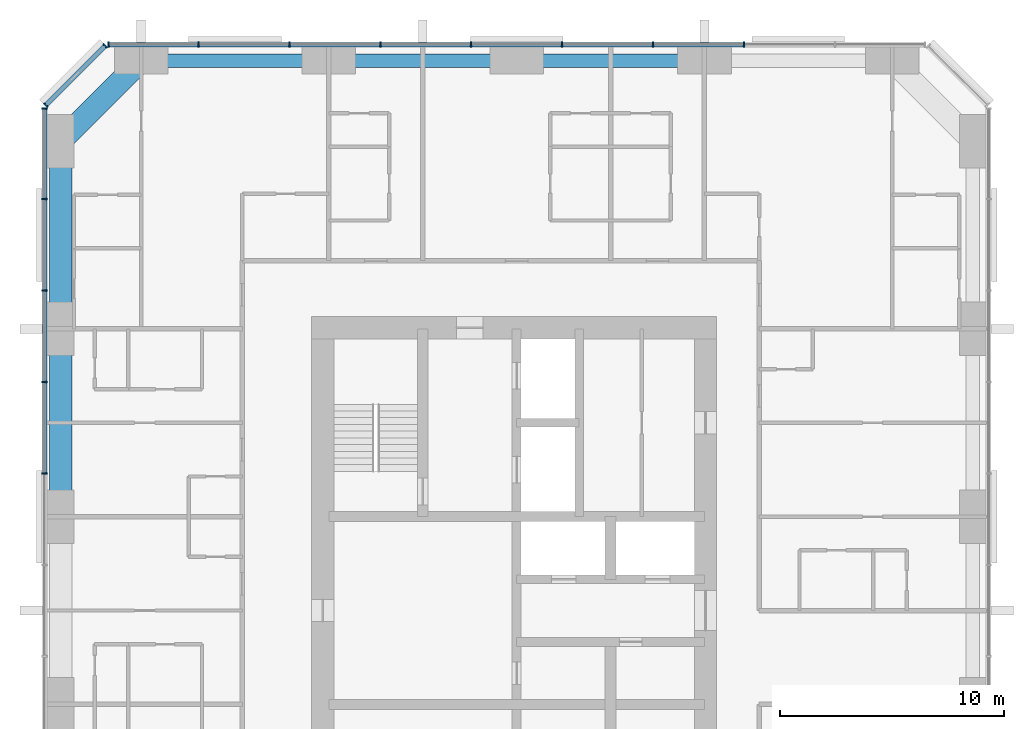
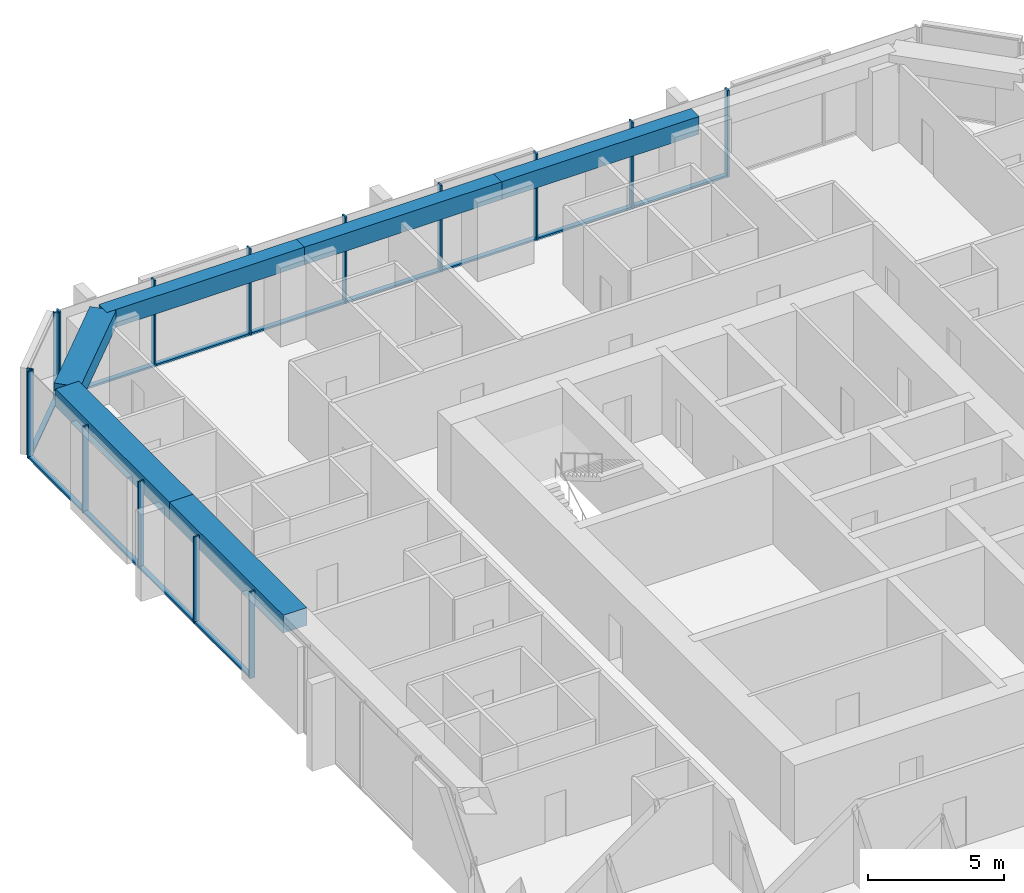
# One storey, part 4 of 12: 27 members, 6 beams, 3 elements without a shape of their own.
"""IFC4 building model written with IfcOpenShell, lengths in metres."""

from ifc_helpers import new_model, si_unit, direction, frame, origin, origin_2d, place, context, subcontext, project, spatial, rectangle, extrude, material, material_profile, profile_set, type_object, element, aggregate, save


model = new_model("IFC4")

# Units and contexts
model_context = context("Model", 3, precision=1e-05, world=origin(), true_north=direction((0.0, 1.0)))
body_context = subcontext(model_context, "Body", "Model", "MODEL_VIEW")
ifc_project = project(units=[si_unit("LENGTHUNIT", "METRE"), si_unit("AREAUNIT", "SQUARE_METRE"), si_unit("VOLUMEUNIT", "CUBIC_METRE"), si_unit("PLANEANGLEUNIT", "RADIAN"), si_unit("MASSUNIT", "GRAM", prefix="KILO")], contexts=[model_context])

# Site, building, storey
site_placement = place(None, origin())
site = spatial("IfcSite", under=ifc_project, at=site_placement, CompositionType="ELEMENT")
building_placement = place(site_placement, origin())
building = spatial("IfcBuilding", under=site, at=building_placement, Name="Dunama Terrace Hotel", CompositionType="ELEMENT")
storey_placement = place(building_placement, frame((0.0, 0.0, 229.5)))
storey = spatial("IfcBuildingStorey", under=building, at=storey_placement, Name="L59", CompositionType="ELEMENT", Elevation=229.5)

# Curtain wall, members
ifc_material_1 = material(Name="Aluminium curtain wall system", Category="aluminium")
curtain_wall_type = type_object("IfcCurtainWallType", Name="Unitised fritted glass wall CW-D", PredefinedType="NOTDEFINED", material=ifc_material_1)
curtain_wall_1_placement = place(storey_placement, origin())
curtain_wall_1 = element("IfcCurtainWall", 1, at=curtain_wall_1_placement, inside=storey, type_object=curtain_wall_type, Name="Unitised fritted glass wall CW-D L59", PredefinedType="NOTDEFINED")
ifc_material_2 = material(Name="Aluminium mullion", Category="aluminium")
ifc_material_profile_1 = material_profile(ifc_material_2, rectangle(XDim=0.070068359375, YDim=0.239990234375, at=origin_2d()), Name="CWD MULLION 70X240")
ifc_profile_set_1 = profile_set([ifc_material_profile_1], Name="Aluminium mullion")
member_type_1 = type_object("IfcMemberType", Name="CWD mullion 70x240", PredefinedType="MULLION", material=ifc_profile_set_1)
member_1_placement = place(storey_placement, frame((43.76708984375, 54.719970703125, 0.0), z_axis=(0.0, 0.0, 1.0), x_axis=(-1.0, 0.0, 0.0)))
member_1 = element("IfcMember", 2, at=member_1_placement, type_object=member_type_1, Name="CWD mullion", PredefinedType="MULLION", context=body_context, shape_type="SweptSolid", body=[
    extrude(rectangle(XDim=0.070068359375, YDim=0.239990234375, at=origin_2d()), origin(), (0.0, 0.0, 1.0), 3.89990234375),
])
member_2_placement = place(storey_placement, frame((39.699951171875, 54.719970703125, 0.0), z_axis=(0.0, 0.0, 1.0), x_axis=(-1.0, 0.0, 0.0)))
member_2 = element("IfcMember", 3, at=member_2_placement, type_object=member_type_1, Name="CWD mullion", PredefinedType="MULLION", context=body_context, shape_type="SweptSolid", body=[
    extrude(rectangle(XDim=0.070068359375, YDim=0.239990234375, at=origin_2d()), origin(), (0.0, 0.0, 1.0), 3.89990234375),
])
member_3_placement = place(storey_placement, frame((35.633056640625, 54.719970703125, 0.0), z_axis=(0.0, 0.0, 1.0), x_axis=(-1.0, 0.0, 0.0)))
member_3 = element("IfcMember", 4, at=member_3_placement, type_object=member_type_1, Name="CWD mullion", PredefinedType="MULLION", context=body_context, shape_type="SweptSolid", body=[
    extrude(rectangle(XDim=0.070068359375, YDim=0.239990234375, at=origin_2d()), origin(), (0.0, 0.0, 1.0), 3.89990234375),
])
member_4_placement = place(storey_placement, frame((31.56689453125, 54.719970703125, 0.0), z_axis=(0.0, 0.0, 1.0), x_axis=(-1.0, 0.0, 0.0)))
member_4 = element("IfcMember", 5, at=member_4_placement, type_object=member_type_1, Name="CWD mullion", PredefinedType="MULLION", context=body_context, shape_type="SweptSolid", body=[
    extrude(rectangle(XDim=0.070068359375, YDim=0.239990234375, at=origin_2d()), origin(), (0.0, 0.0, 1.0), 3.89990234375),
])
member_5_placement = place(storey_placement, frame((27.5, 54.719970703125, 0.0), z_axis=(0.0, 0.0, 1.0), x_axis=(-1.0, 0.0, 0.0)))
member_5 = element("IfcMember", 6, at=member_5_placement, type_object=member_type_1, Name="CWD mullion", PredefinedType="MULLION", context=body_context, shape_type="SweptSolid", body=[
    extrude(rectangle(XDim=0.070068359375, YDim=0.239990234375, at=origin_2d()), origin(), (0.0, 0.0, 1.0), 3.89990234375),
])
member_6_placement = place(storey_placement, frame((23.43310546875, 54.719970703125, 0.0), z_axis=(0.0, 0.0, 1.0), x_axis=(-1.0, 0.0, 0.0)))
member_6 = element("IfcMember", 7, at=member_6_placement, type_object=member_type_1, Name="CWD mullion", PredefinedType="MULLION", context=body_context, shape_type="SweptSolid", body=[
    extrude(rectangle(XDim=0.070068359375, YDim=0.239990234375, at=origin_2d()), origin(), (0.0, 0.0, 1.0), 3.89990234375),
])
member_7_placement = place(storey_placement, frame((19.366943359375, 54.719970703125, 0.0), z_axis=(0.0, 0.0, 1.0), x_axis=(-1.0, 0.0, 0.0)))
member_7 = element("IfcMember", 8, at=member_7_placement, type_object=member_type_1, Name="CWD mullion", PredefinedType="MULLION", context=body_context, shape_type="SweptSolid", body=[
    extrude(rectangle(XDim=0.070068359375, YDim=0.239990234375, at=origin_2d()), origin(), (0.0, 0.0, 1.0), 3.89990234375),
])
member_8_placement = place(storey_placement, frame((15.3349609375, 54.719970703125, 0.0), z_axis=(0.0, 0.0, 1.0), x_axis=(-1.0, 0.0, 0.0)))
member_8 = element("IfcMember", 9, at=member_8_placement, type_object=member_type_1, Name="CWD mullion", PredefinedType="MULLION", context=body_context, shape_type="SweptSolid", body=[
    extrude(rectangle(XDim=0.070068359375, YDim=0.239990234375, at=origin_2d()), origin(), (0.0, 0.0, 1.0), 3.89990234375),
])

curtain_wall_2_placement = place(storey_placement, origin())
curtain_wall_2 = element("IfcCurtainWall", 10, at=curtain_wall_2_placement, inside=storey, type_object=curtain_wall_type, Name="Unitised fritted glass wall CW-D L59", PredefinedType="NOTDEFINED")
member_9_placement = place(storey_placement, frame((15.18994140625, 54.659912109375, 0.0), z_axis=(0.0, 0.0, 1.0), x_axis=(-0.707106781187, -0.707106781187, 0.0)))
member_9 = element("IfcMember", 11, at=member_9_placement, type_object=member_type_1, Name="CWD mullion", PredefinedType="MULLION", context=body_context, shape_type="SweptSolid", body=[
    extrude(rectangle(XDim=0.070068359375, YDim=0.239990234375, at=origin_2d()), origin(), (0.0, 0.0, 1.0), 3.89990234375),
])
member_10_placement = place(storey_placement, frame((12.5400390625, 52.010009765625, 0.0), z_axis=(0.0, 0.0, 1.0), x_axis=(-0.707106781187, -0.707106781187, 0.0)))
member_10 = element("IfcMember", 12, at=member_10_placement, type_object=member_type_1, Name="CWD mullion", PredefinedType="MULLION", context=body_context, shape_type="SweptSolid", body=[
    extrude(rectangle(XDim=0.070068359375, YDim=0.239990234375, at=origin_2d()), origin(), (0.0, 0.0, 1.0), 3.89990234375),
])

curtain_wall_3_placement = place(storey_placement, origin())
curtain_wall_3 = element("IfcCurtainWall", 13, at=curtain_wall_3_placement, inside=storey, type_object=curtain_wall_type, Name="Unitised fritted glass wall CW-D L59", PredefinedType="NOTDEFINED")
member_11_placement = place(storey_placement, frame((12.47998046875, 51.864990234375, 0.0), z_axis=(0.0, 0.0, 1.0), x_axis=(0.0, -1.0, 0.0)))
member_11 = element("IfcMember", 14, at=member_11_placement, type_object=member_type_1, Name="CWD mullion", PredefinedType="MULLION", context=body_context, shape_type="SweptSolid", body=[
    extrude(rectangle(XDim=0.070068359375, YDim=0.239990234375, at=origin_2d()), origin(), (0.0, 0.0, 1.0), 3.89990234375),
])
member_12_placement = place(storey_placement, frame((12.47998046875, 47.80908203125, 0.0), z_axis=(0.0, 0.0, 1.0), x_axis=(0.0, -1.0, 0.0)))
member_12 = element("IfcMember", 15, at=member_12_placement, type_object=member_type_1, Name="CWD mullion", PredefinedType="MULLION", context=body_context, shape_type="SweptSolid", body=[
    extrude(rectangle(XDim=0.070068359375, YDim=0.239990234375, at=origin_2d()), origin(), (0.0, 0.0, 1.0), 3.89990234375),
])
member_13_placement = place(storey_placement, frame((12.47998046875, 43.718017578125, 0.0), z_axis=(0.0, 0.0, 1.0), x_axis=(0.0, -1.0, 0.0)))
member_13 = element("IfcMember", 16, at=member_13_placement, type_object=member_type_1, Name="CWD mullion", PredefinedType="MULLION", context=body_context, shape_type="SweptSolid", body=[
    extrude(rectangle(XDim=0.070068359375, YDim=0.239990234375, at=origin_2d()), origin(), (0.0, 0.0, 1.0), 3.89990234375),
])
member_14_placement = place(storey_placement, frame((12.47998046875, 39.626953125, 0.0), z_axis=(0.0, 0.0, 1.0), x_axis=(0.0, -1.0, 0.0)))
member_14 = element("IfcMember", 17, at=member_14_placement, type_object=member_type_1, Name="CWD mullion", PredefinedType="MULLION", context=body_context, shape_type="SweptSolid", body=[
    extrude(rectangle(XDim=0.070068359375, YDim=0.239990234375, at=origin_2d()), origin(), (0.0, 0.0, 1.0), 3.89990234375),
])
member_15_placement = place(storey_placement, frame((12.47998046875, 35.535888671875, 0.0), z_axis=(0.0, 0.0, 1.0), x_axis=(0.0, -1.0, 0.0)))
member_15 = element("IfcMember", 18, at=member_15_placement, type_object=member_type_1, Name="CWD mullion", PredefinedType="MULLION", context=body_context, shape_type="SweptSolid", body=[
    extrude(rectangle(XDim=0.070068359375, YDim=0.239990234375, at=origin_2d()), origin(), (0.0, 0.0, 1.0), 3.89990234375),
])

# Member
ifc_material_3 = material(Name="Aluminium transom", Category="aluminium")
ifc_material_profile_2 = material_profile(ifc_material_3, rectangle(XDim=0.199951171875, YDim=0.0849609375, at=origin_2d()), Name="CWD TRANSOM 200X85")
ifc_profile_set_2 = profile_set([ifc_material_profile_2], Name="Aluminium transom")
member_type_2 = type_object("IfcMemberType", Name="CWD transom 200x85", PredefinedType="USERDEFINED", material=ifc_profile_set_2)
member_16_placement = place(storey_placement, frame((43.73193359375, 54.719970703125, 0.04248046875), z_axis=(-1.0, 0.0, 0.0), x_axis=(0.0, -1.0, 0.0)))
member_16 = element("IfcMember", 19, at=member_16_placement, type_object=member_type_2, Name="CWD transom", ObjectType="TRANSOM", PredefinedType="USERDEFINED", context=body_context, shape_type="SweptSolid", body=[
    extrude(rectangle(XDim=0.199951171875, YDim=0.0849609375, at=origin_2d()), origin(), (0.0, 0.0, 1.0), 3.996826171875),
])

member_17_placement = place(storey_placement, frame((39.6650390625, 54.719970703125, 0.04248046875), z_axis=(-1.0, 0.0, 0.0), x_axis=(0.0, -1.0, 0.0)))
member_17 = element("IfcMember", 20, at=member_17_placement, type_object=member_type_2, Name="CWD transom", ObjectType="TRANSOM", PredefinedType="USERDEFINED", context=body_context, shape_type="SweptSolid", body=[
    extrude(rectangle(XDim=0.199951171875, YDim=0.0849609375, at=origin_2d()), origin(), (0.0, 0.0, 1.0), 3.9970703125),
])

member_18_placement = place(storey_placement, frame((35.597900390625, 54.719970703125, 0.04248046875), z_axis=(-1.0, 0.0, 0.0), x_axis=(0.0, -1.0, 0.0)))
member_18 = element("IfcMember", 21, at=member_18_placement, type_object=member_type_2, Name="CWD transom", ObjectType="TRANSOM", PredefinedType="USERDEFINED", context=body_context, shape_type="SweptSolid", body=[
    extrude(rectangle(XDim=0.199951171875, YDim=0.0849609375, at=origin_2d()), origin(), (0.0, 0.0, 1.0), 3.995849609375),
])

member_19_placement = place(storey_placement, frame((31.531982421875, 54.719970703125, 0.04248046875), z_axis=(-1.0, 0.0, 0.0), x_axis=(0.0, -1.0, 0.0)))
member_19 = element("IfcMember", 22, at=member_19_placement, type_object=member_type_2, Name="CWD transom", ObjectType="TRANSOM", PredefinedType="USERDEFINED", context=body_context, shape_type="SweptSolid", body=[
    extrude(rectangle(XDim=0.199951171875, YDim=0.0849609375, at=origin_2d()), origin(), (0.0, 0.0, 1.0), 3.9970703125),
])

member_20_placement = place(storey_placement, frame((27.465087890625, 54.719970703125, 0.04248046875), z_axis=(-1.0, 0.0, 0.0), x_axis=(0.0, -1.0, 0.0)))
member_20 = element("IfcMember", 23, at=member_20_placement, type_object=member_type_2, Name="CWD transom", ObjectType="TRANSOM", PredefinedType="USERDEFINED", context=body_context, shape_type="SweptSolid", body=[
    extrude(rectangle(XDim=0.199951171875, YDim=0.0849609375, at=origin_2d()), origin(), (0.0, 0.0, 1.0), 3.9970703125),
])

member_21_placement = place(storey_placement, frame((23.39794921875, 54.719970703125, 0.04248046875), z_axis=(-1.0, 0.0, 0.0), x_axis=(0.0, -1.0, 0.0)))
member_21 = element("IfcMember", 24, at=member_21_placement, type_object=member_type_2, Name="CWD transom", ObjectType="TRANSOM", PredefinedType="USERDEFINED", context=body_context, shape_type="SweptSolid", body=[
    extrude(rectangle(XDim=0.199951171875, YDim=0.0849609375, at=origin_2d()), origin(), (0.0, 0.0, 1.0), 3.995849609375),
])

member_22_placement = place(storey_placement, frame((19.33203125, 54.719970703125, 0.04248046875), z_axis=(-1.0, 0.0, 0.0), x_axis=(0.0, -1.0, 0.0)))
member_22 = element("IfcMember", 25, at=member_22_placement, type_object=member_type_2, Name="CWD transom", ObjectType="TRANSOM", PredefinedType="USERDEFINED", context=body_context, shape_type="SweptSolid", body=[
    extrude(rectangle(XDim=0.199951171875, YDim=0.0849609375, at=origin_2d()), origin(), (0.0, 0.0, 1.0), 3.9619140625),
])

aggregate(curtain_wall_1, [member_1, member_2, member_3, member_4, member_5, member_6, member_7, member_8, member_16, member_17, member_18, member_19, member_20, member_21, member_22])

member_23_placement = place(storey_placement, frame((15.166015625, 54.635009765625, 0.04248046875), z_axis=(-0.707106781187, -0.707106781187, 0.0), x_axis=(0.707106781187, -0.707106781187, 0.0)))
member_23 = element("IfcMember", 26, at=member_23_placement, type_object=member_type_2, Name="CWD transom", ObjectType="TRANSOM", PredefinedType="USERDEFINED", context=body_context, shape_type="SweptSolid", body=[
    extrude(rectangle(XDim=0.199951171875, YDim=0.0849609375, at=origin_2d()), origin(), (0.0, 0.0, 1.0), 3.678466796875),
])

aggregate(curtain_wall_2, [member_9, member_10, member_23])

member_24_placement = place(storey_placement, frame((12.47998046875, 51.830078125, 0.04248046875), z_axis=(0.0, -1.0, 0.0), x_axis=(1.0, 0.0, 0.0)))
member_24 = element("IfcMember", 27, at=member_24_placement, type_object=member_type_2, Name="CWD transom", ObjectType="TRANSOM", PredefinedType="USERDEFINED", context=body_context, shape_type="SweptSolid", body=[
    extrude(rectangle(XDim=0.199951171875, YDim=0.0849609375, at=origin_2d()), origin(), (0.0, 0.0, 1.0), 3.986083984375),
])

member_25_placement = place(storey_placement, frame((12.47998046875, 47.77392578125, 0.04248046875), z_axis=(0.0, -1.0, 0.0), x_axis=(1.0, 0.0, 0.0)))
member_25 = element("IfcMember", 28, at=member_25_placement, type_object=member_type_2, Name="CWD transom", ObjectType="TRANSOM", PredefinedType="USERDEFINED", context=body_context, shape_type="SweptSolid", body=[
    extrude(rectangle(XDim=0.199951171875, YDim=0.0849609375, at=origin_2d()), origin(), (0.0, 0.0, 1.0), 4.02099609375),
])

member_26_placement = place(storey_placement, frame((12.47998046875, 43.68310546875, 0.04248046875), z_axis=(0.0, -1.0, 0.0), x_axis=(1.0, 0.0, 0.0)))
member_26 = element("IfcMember", 29, at=member_26_placement, type_object=member_type_2, Name="CWD transom", ObjectType="TRANSOM", PredefinedType="USERDEFINED", context=body_context, shape_type="SweptSolid", body=[
    extrude(rectangle(XDim=0.199951171875, YDim=0.0849609375, at=origin_2d()), origin(), (0.0, 0.0, 1.0), 4.02099609375),
])

member_27_placement = place(storey_placement, frame((12.47998046875, 39.592041015625, 0.04248046875), z_axis=(0.0, -1.0, 0.0), x_axis=(1.0, 0.0, 0.0)))
member_27 = element("IfcMember", 30, at=member_27_placement, type_object=member_type_2, Name="CWD transom", ObjectType="TRANSOM", PredefinedType="USERDEFINED", context=body_context, shape_type="SweptSolid", body=[
    extrude(rectangle(XDim=0.199951171875, YDim=0.0849609375, at=origin_2d()), origin(), (0.0, 0.0, 1.0), 4.02099609375),
])

aggregate(curtain_wall_3, [member_11, member_12, member_13, member_14, member_15, member_24, member_25, member_26, member_27])

# Beams
ifc_material_4 = material(Name="Concrete C50/60", Category="concrete")
ifc_material_profile_3 = material_profile(ifc_material_4, rectangle(XDim=1.0, YDim=0.75, at=origin_2d()), Name="RC 1000x750")
ifc_profile_set_3 = profile_set([ifc_material_profile_3], Name="Concrete C50/60")
beam_type_1 = type_object("IfcBeamType", Name="Edge beam RC 1000x750", PredefinedType="SPANDREL", material=ifc_profile_set_3)
beam_1_placement = place(storey_placement, frame((16.800048828125, 54.0, 3.52490234375), z_axis=(-0.707106781187, -0.707106781187, 0.0), x_axis=(0.707106781187, -0.707106781187, 0.0)))
element("IfcBeam", 31, at=beam_1_placement, inside=storey, type_object=beam_type_1, Name="Corner edge beam under L60", PredefinedType="SPANDREL", context=body_context, shape_type="SweptSolid", body=[
    extrude(rectangle(XDim=1.0, YDim=0.75, at=origin_2d()), origin(), (0.0, 0.0, 1.0), 5.09130859375),
])
ifc_material_5 = material(Name="Concrete C40/50", Category="concrete")
ifc_material_profile_4 = material_profile(ifc_material_5, rectangle(XDim=1.0, YDim=0.800048828125, at=origin_2d()), Name="RC 1000x800")
ifc_profile_set_4 = profile_set([ifc_material_profile_4], Name="Concrete C40/50")
beam_type_2 = type_object("IfcBeamType", Name="Edge beam RC 1000x800", PredefinedType="SPANDREL", material=ifc_profile_set_4)
for number, where, z_axis, x_axis, name in (
    (32, (13.199951171875, 33.60009765625, 3.5), (0.0, 1.0, 0.0), (-1.0, 0.0, 0.0), "Edge beam under L60"),
    (33, (13.199951171875, 42.0, 3.5), (0.0, 1.0, 0.0), (-1.0, 0.0, 0.0), "Edge beam under L60"),
):
    element("IfcBeam", number, at=place(storey_placement, frame(where, z_axis=z_axis, x_axis=x_axis)), inside=storey, type_object=beam_type_2, Name=name, PredefinedType="SPANDREL", context=body_context, shape_type="SweptSolid", body=[
        extrude(rectangle(XDim=1.0, YDim=0.800048828125, at=origin_2d()), origin(), (0.0, 0.0, 1.0), 8.39990234375),
    ])
ifc_material_6 = material(Name="Concrete C40/50", Category="concrete")
ifc_material_profile_5 = material_profile(ifc_material_6, rectangle(XDim=0.60009765625, YDim=0.800048828125, at=origin_2d()), Name="RC 600x800")
ifc_profile_set_5 = profile_set([ifc_material_profile_5], Name="Concrete C40/50")
beam_type_3 = type_object("IfcBeamType", Name="Edge beam RC 600x800", PredefinedType="SPANDREL", material=ifc_profile_set_5)
beam_2_placement = place(storey_placement, frame((16.800048828125, 54.0, 3.5), z_axis=(1.0, 0.0, 0.0), x_axis=(0.0, 1.0, 0.0)))
element("IfcBeam", 34, at=beam_2_placement, inside=storey, type_object=beam_type_3, Name="Edge beam under L60", PredefinedType="SPANDREL", context=body_context, shape_type="SweptSolid", body=[
    extrude(rectangle(XDim=0.60009765625, YDim=0.800048828125, at=origin_2d()), origin(), (0.0, 0.0, 1.0), 8.39990234375),
])
beam_3_placement = place(storey_placement, frame((25.199951171875, 54.0, 3.5), z_axis=(1.0, 0.0, 0.0), x_axis=(0.0, 1.0, 0.0)))
element("IfcBeam", 35, at=beam_3_placement, inside=storey, type_object=beam_type_3, Name="Edge beam under L60", PredefinedType="SPANDREL", context=body_context, shape_type="SweptSolid", body=[
    extrude(rectangle(XDim=0.60009765625, YDim=0.800048828125, at=origin_2d()), origin(), (0.0, 0.0, 1.0), 8.400146484375),
])
beam_4_placement = place(storey_placement, frame((33.60009765625, 54.0, 3.5), z_axis=(1.0, 0.0, 0.0), x_axis=(0.0, 1.0, 0.0)))
element("IfcBeam", 36, at=beam_4_placement, inside=storey, type_object=beam_type_3, Name="Edge beam under L60", PredefinedType="SPANDREL", context=body_context, shape_type="SweptSolid", body=[
    extrude(rectangle(XDim=0.60009765625, YDim=0.800048828125, at=origin_2d()), origin(), (0.0, 0.0, 1.0), 8.39990234375),
])

save(model, "model.ifc")
